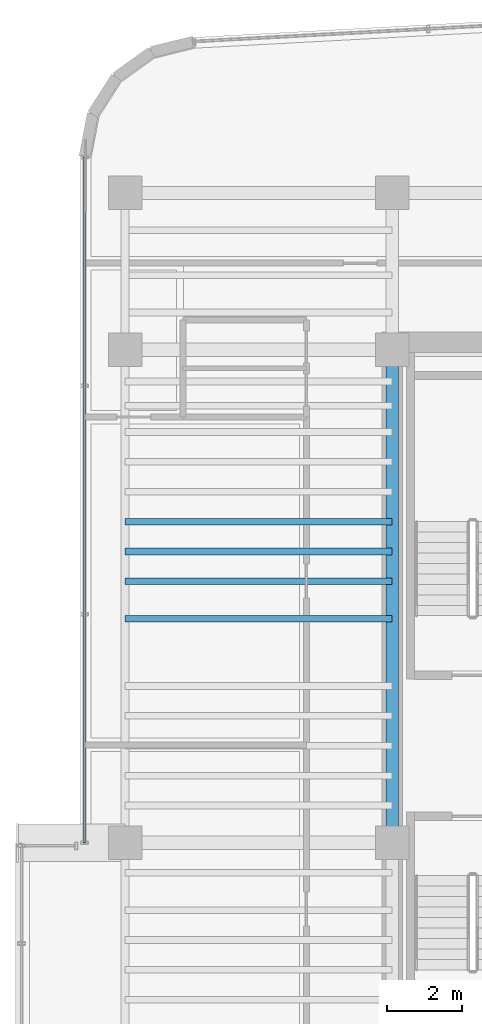
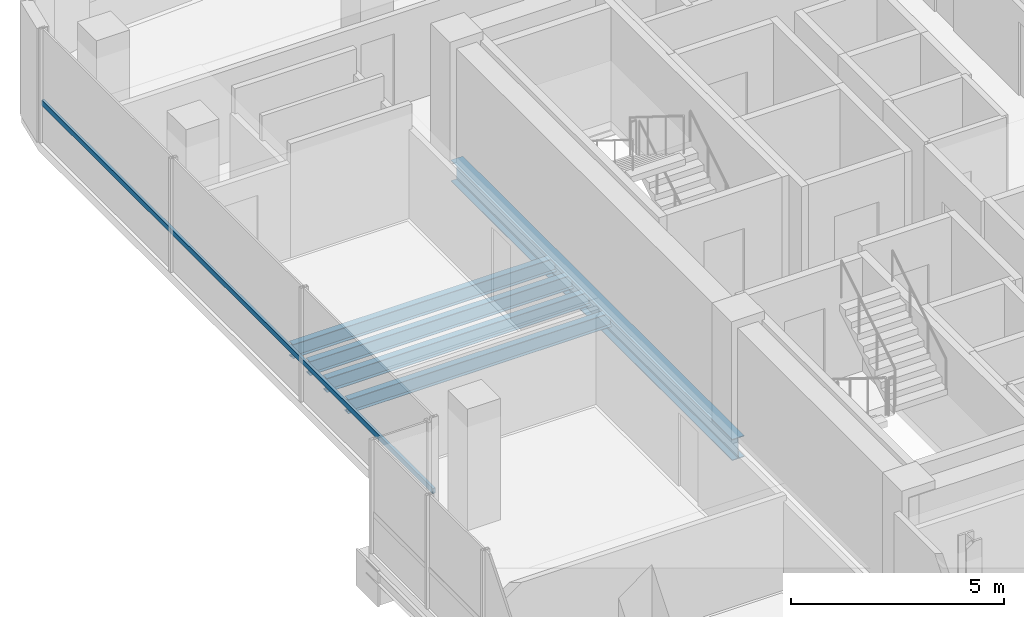
# One storey, part 8 of 22: 5 beams, 1 member, 1 element without a shape of its own.
"""IFC4 building model written with IfcOpenShell, lengths in metres."""

from ifc_helpers import new_model, si_unit, direction, frame, origin, origin_2d, place, context, subcontext, project, spatial, hollow_rectangle, i_section, extrude, source, transform, mapped, material, material_profile, profile_set, type_object, element, aggregate, save


model = new_model("IFC4")

# Units and contexts
model_context = context("Model", 3, precision=1e-05, world=origin(), true_north=direction((0.0, 1.0)))
body_context = subcontext(model_context, "Body", "Model", "MODEL_VIEW")
ifc_project = project(units=[si_unit("LENGTHUNIT", "METRE"), si_unit("AREAUNIT", "SQUARE_METRE"), si_unit("VOLUMEUNIT", "CUBIC_METRE"), si_unit("PLANEANGLEUNIT", "RADIAN"), si_unit("MASSUNIT", "GRAM", prefix="KILO")], contexts=[model_context])

# Site, building, storey
site_placement = place(None, origin())
site = spatial("IfcSite", under=ifc_project, at=site_placement, CompositionType="ELEMENT")
building_placement = place(site_placement, origin())
building = spatial("IfcBuilding", under=site, at=building_placement, Name="Valdorenza Pilgrim Sanctuary Tower", CompositionType="ELEMENT")
storey_placement = place(building_placement, frame((0.0, 0.0, 233.5)))
storey = spatial("IfcBuildingStorey", under=building, at=storey_placement, Name="L60", CompositionType="ELEMENT", Elevation=233.5)

# Beams
ifc_material_1 = material(Name="Steel ASTM A992 Grade 50", Category="steel")
ifc_material_profile_1 = material_profile(ifc_material_1, i_section(OverallWidth=0.323974609375, OverallDepth=0.611083984375, WebThickness=0.0126953125, FlangeThickness=0.01904296875, at=origin_2d()), Name="W24X104")
ifc_profile_set_1 = profile_set([ifc_material_profile_1], Name="Steel ASTM A992 Grade 50")
beam_type_1 = type_object("IfcBeamType", Name="STR-BM-GRD-W24B", PredefinedType="BEAM", material=ifc_profile_set_1)
shared_shape_1 = source(origin(), body_context, "Body", "SweptSolid", [
    extrude(i_section(OverallWidth=0.323974609375, OverallDepth=0.611083984375, WebThickness=0.0126953125, FlangeThickness=0.01904296875, at=origin_2d()), origin(), (0.0, 0.0, 1.0), 13.2001953125),
])
beam_placement = place(storey_placement, frame((-22.64990234375, -2.60009765625, -0.54541015625), z_axis=(0.0, 1.0, 0.0), x_axis=(-1.0, 0.0, 0.0)))
element("IfcBeam", 1, at=beam_placement, inside=storey, type_object=beam_type_1, Name="L60 Core Tie Girder CA-W-M0N1", PredefinedType="BEAM", context=body_context, shape_type="MappedRepresentation", body=[
    mapped(shared_shape_1, transform((0.0, 0.0, 0.0), x_axis=(1.0, 0.0, 0.0), y_axis=(0.0, 1.0, 0.0), z_axis=(0.0, 0.0, 1.0), scale=1.0)),
])
ifc_material_profile_2 = material_profile(ifc_material_1, i_section(OverallWidth=0.177978515625, OverallDepth=0.406005859375, WebThickness=0.0078125, FlangeThickness=0.0126953125, at=origin_2d()), Name="W16X40")
ifc_profile_set_2 = profile_set([ifc_material_profile_2], Name="Steel ASTM A992 Grade 50")
beam_type_2 = type_object("IfcBeamType", Name="STR-BM-JST-W16", PredefinedType="JOIST", material=ifc_profile_set_2)
shared_shape_2 = source(origin(), body_context, "Body", "SweptSolid", [
    extrude(i_section(OverallWidth=0.177978515625, OverallDepth=0.406005859375, WebThickness=0.0078125, FlangeThickness=0.0126953125, at=origin_2d()), origin(), (0.0, 0.0, 1.0), 7.150146484375),
])
for number, where, z_axis, x_axis, name in (
    (2, (-29.800048828125, 3.39990234375, -0.443115234375), (1.0, 0.0, 0.0), (0.0, 1.0, 0.0), "L60 Composite Floor Joist JST-WA-15"),
    (3, (-29.800048828125, 4.39990234375, -0.443115234375), (1.0, 0.0, 0.0), (0.0, 1.0, 0.0), "L60 Composite Floor Joist JST-WA-16"),
    (4, (-29.800048828125, 5.199951171875, -0.443115234375), (1.0, 0.0, 0.0), (0.0, 1.0, 0.0), "L60 Composite Floor Joist JST-WA-17"),
    (5, (-29.800048828125, 6.0, -0.443115234375), (1.0, 0.0, 0.0), (0.0, 1.0, 0.0), "L60 Composite Floor Joist JST-WA-18"),
):
    element("IfcBeam", number, at=place(storey_placement, frame(where, z_axis=z_axis, x_axis=x_axis)), inside=storey, type_object=beam_type_2, Name=name, PredefinedType="JOIST", context=body_context, shape_type="MappedRepresentation", body=[
        mapped(shared_shape_2, transform((0.0, 0.0, 0.0), x_axis=(1.0, 0.0, 0.0), y_axis=(0.0, 1.0, 0.0), z_axis=(0.0, 0.0, 1.0), scale=1.0)),
    ])

# Curtain wall, member
ifc_material_2 = material(Name="Curtain-wall IGU glazing", Category="glass")
curtain_wall_type = type_object("IfcCurtainWallType", Name="CW-SYS-02", PredefinedType="NOTDEFINED", material=ifc_material_2)
curtain_wall_placement = place(storey_placement, origin())
curtain_wall = element("IfcCurtainWall", 6, at=curtain_wall_placement, inside=storey, type_object=curtain_wall_type, Name="L60 Curtain Wall CW-L60-1-1S2", PredefinedType="NOTDEFINED")
ifc_material_3 = material(Name="Anodised aluminium AW-6060", Category="aluminium")
ifc_material_profile_3 = material_profile(ifc_material_3, hollow_rectangle(XDim=0.074951171875, YDim=0.14990234375, WallThickness=0.00390625, at=origin_2d()), Name="ALU-T 150x75x4")
ifc_profile_set_3 = profile_set([ifc_material_profile_3], Name="Anodised aluminium AW-6060")
member_type = type_object("IfcMemberType", Name="CW-TRN-02", PredefinedType="USERDEFINED", material=ifc_profile_set_3)
shared_shape_3 = source(origin(), body_context, "Body", "SweptSolid", [
    extrude(hollow_rectangle(XDim=0.074951171875, YDim=0.14990234375, WallThickness=0.00390625, at=origin_2d()), origin(), (0.0, 0.0, 1.0), 18.357666015625),
])
member_placement = place(storey_placement, frame((-30.889892578125, -2.60009765625, 1.1201171875), z_axis=(0.0, 1.0, 0.0), x_axis=(-1.0, 0.0, 0.0)))
member = element("IfcMember", 7, at=member_placement, type_object=member_type, Name="CW-L60-1-1S2 Transom 1", ObjectType="TRANSOM", PredefinedType="USERDEFINED", context=body_context, shape_type="MappedRepresentation", body=[
    mapped(shared_shape_3, transform((0.0, 0.0, 0.0), x_axis=(1.0, 0.0, 0.0), y_axis=(0.0, 1.0, 0.0), z_axis=(0.0, 0.0, 1.0), scale=1.0)),
])
aggregate(curtain_wall, [member])

save(model, "model.ifc")
